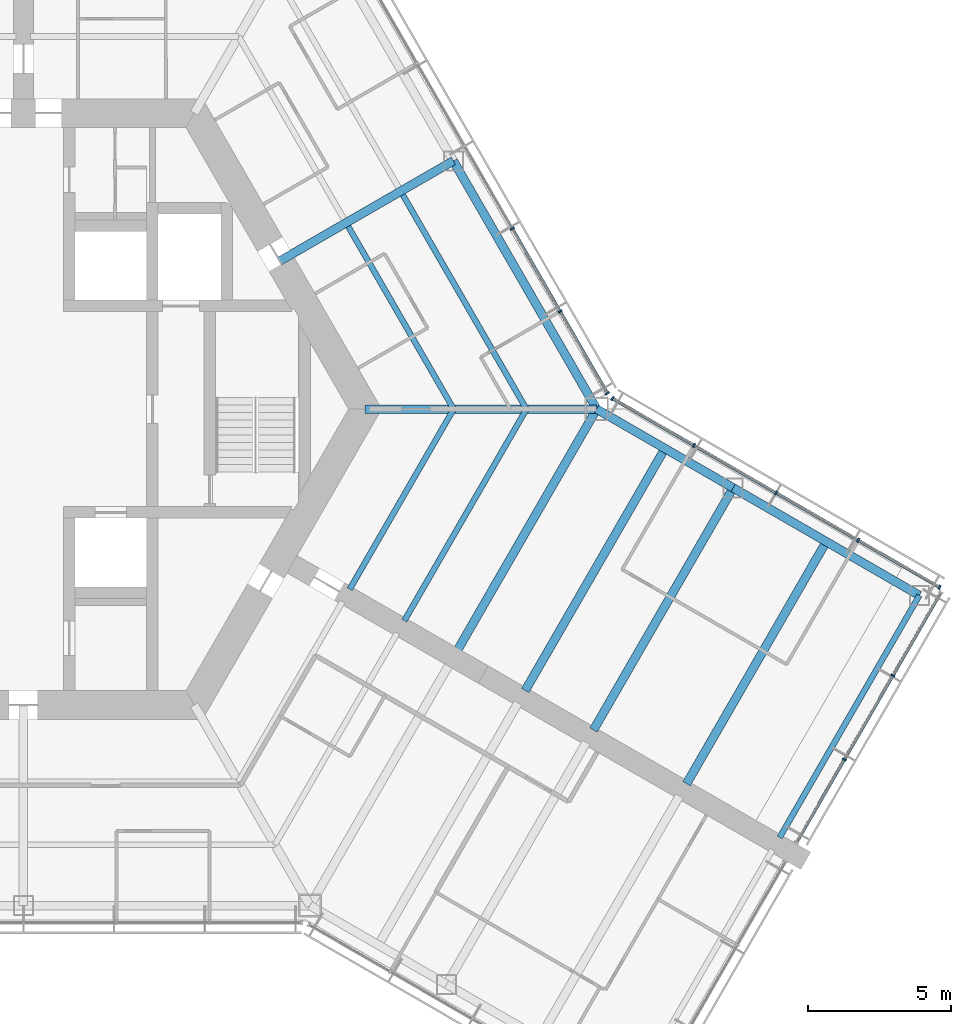
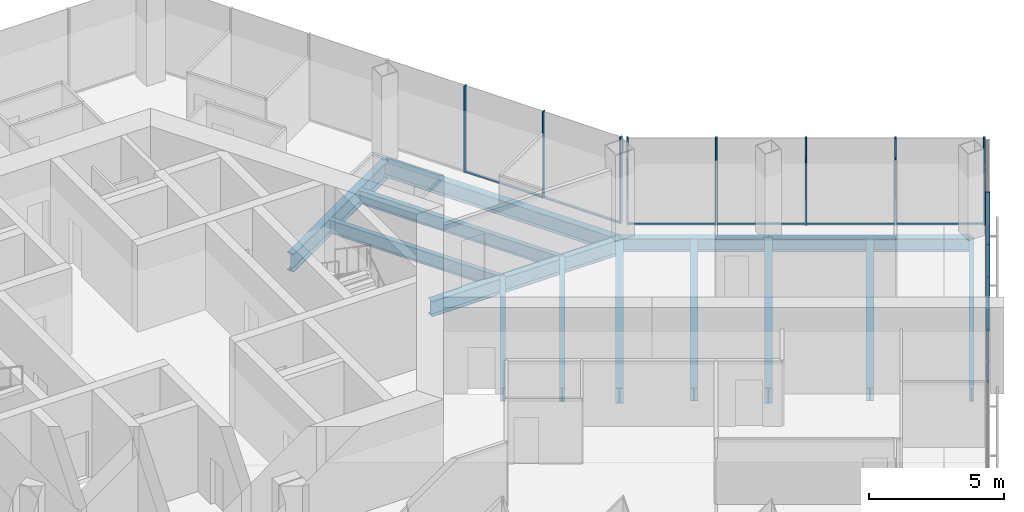
# One storey, part 6 of 19: 19 members, 14 beams, 3 elements without a shape of their own.
"""IFC4 building model written with IfcOpenShell, lengths in metres."""

from ifc_helpers import new_model, si_unit, direction, frame, origin, origin_2d, place, context, subcontext, project, spatial, rectangle, i_section, extrude, material, material_profile, profile_set, type_object, element, aggregate, save


model = new_model("IFC4")

# Units and contexts
model_context = context("Model", 3, precision=1e-05, world=origin(), true_north=direction((0.0, 1.0)))
body_context = subcontext(model_context, "Body", "Model", "MODEL_VIEW")
ifc_project = project(units=[si_unit("LENGTHUNIT", "METRE"), si_unit("AREAUNIT", "SQUARE_METRE"), si_unit("VOLUMEUNIT", "CUBIC_METRE"), si_unit("PLANEANGLEUNIT", "RADIAN"), si_unit("MASSUNIT", "GRAM", prefix="KILO")], contexts=[model_context])

# Site, building, storey
site_placement = place(None, origin())
site = spatial("IfcSite", under=ifc_project, at=site_placement, CompositionType="ELEMENT")
building_placement = place(site_placement, origin())
building = spatial("IfcBuilding", under=site, at=building_placement, Name="Kasaneha Research Tower", CompositionType="ELEMENT")
storey_placement = place(building_placement, frame((0.0, 0.0, 164.300048828125)))
storey = spatial("IfcBuildingStorey", under=building, at=storey_placement, Name="L41", CompositionType="ELEMENT", Elevation=164.300048828125)

# Beams
ifc_material_1 = material(Name="Steel SN490B", Category="steel")
ifc_material_profile_1 = material_profile(ifc_material_1, i_section(OverallWidth=0.199951171875, OverallDepth=0.60009765625, WebThickness=0.010986328125, FlangeThickness=0.01708984375, FilletRadius=0.012939453125, at=origin_2d()), Name="H-600x200x11x17")
ifc_profile_set_1 = profile_set([ifc_material_profile_1], Name="Steel SN490B")
beam_type_1 = type_object("IfcBeamType", Name="B1-3 secondary beam H-600x200x11x17", PredefinedType="JOIST", material=ifc_profile_set_1)
beam_1_placement = place(storey_placement, frame((15.010986328125, 0.0, -0.449951171875), z_axis=(-0.499994443168, 0.866028611999, 0.0), x_axis=(-0.866028611999, -0.499994443168, 0.0)))
element("IfcBeam", 1, at=beam_1_placement, inside=storey, type_object=beam_type_1, Name="Secondary beam RS030L1 L41", PredefinedType="JOIST", context=body_context, shape_type="SweptSolid", body=[
    extrude(i_section(OverallWidth=0.199951171875, OverallDepth=0.60009765625, WebThickness=0.010986328125, FlangeThickness=0.01708984375, FilletRadius=0.012939453125, at=origin_2d()), origin(), (0.0, 0.0, 1.0), 7.35546875),
])
beam_2_placement = place(storey_placement, frame((17.551513671875, 0.0, -0.449951171875), z_axis=(-0.5000050195, 0.866022505755, 0.0), x_axis=(-0.866022505755, -0.5000050195, 0.0)))
element("IfcBeam", 2, at=beam_2_placement, inside=storey, type_object=beam_type_1, Name="Secondary beam RS030L2 L41", PredefinedType="JOIST", context=body_context, shape_type="SweptSolid", body=[
    extrude(i_section(OverallWidth=0.199951171875, OverallDepth=0.60009765625, WebThickness=0.010986328125, FlangeThickness=0.01708984375, FilletRadius=0.012939453125, at=origin_2d()), origin(), (0.0, 0.0, 1.0), 8.6259765625),
])
beam_3_placement = place(storey_placement, frame((15.010986328125, 0.0, -0.449951171875), z_axis=(-0.499993340521, -0.866029248602, 0.0), x_axis=(0.866029248602, -0.499993340521, 0.0)))
element("IfcBeam", 3, at=beam_3_placement, inside=storey, type_object=beam_type_1, Name="Secondary beam RS330R1 L41", PredefinedType="JOIST", context=body_context, shape_type="SweptSolid", body=[
    extrude(i_section(OverallWidth=0.199951171875, OverallDepth=0.60009765625, WebThickness=0.010986328125, FlangeThickness=0.01708984375, FilletRadius=0.012939453125, at=origin_2d()), origin(), (0.0, 0.0, 1.0), 7.25537109375),
])
beam_4_placement = place(storey_placement, frame((17.551513671875, 0.0, -0.449951171875), z_axis=(-0.500004205306, -0.866022975836, 0.0), x_axis=(0.866022975836, -0.500004205306, 0.0)))
element("IfcBeam", 4, at=beam_4_placement, inside=storey, type_object=beam_type_1, Name="Secondary beam RS330R2 L41", PredefinedType="JOIST", context=body_context, shape_type="SweptSolid", body=[
    extrude(i_section(OverallWidth=0.199951171875, OverallDepth=0.60009765625, WebThickness=0.010986328125, FlangeThickness=0.01708984375, FilletRadius=0.012939453125, at=origin_2d()), origin(), (0.0, 0.0, 1.0), 8.52587890625),
])
ifc_material_2 = material(Name="Steel SN490B", Category="steel")
ifc_material_profile_2 = material_profile(ifc_material_2, i_section(OverallWidth=0.300048828125, OverallDepth=0.58203125, WebThickness=0.011962890625, FlangeThickness=0.01708984375, FilletRadius=0.012939453125, at=origin_2d()), Name="H-582x300x12x17")
ifc_profile_set_2 = profile_set([ifc_material_profile_2], Name="Steel SN490B")
beam_type_2 = type_object("IfcBeamType", Name="B2-3 secondary beam H-582x300x12x17", PredefinedType="JOIST", material=ifc_profile_set_2)
for number, where, z_axis, x_axis, name in (
    (5, (22.381591796875, -1.375, -0.441162109375), (-0.499995560238, -0.866027967067, 0.0), (0.866027967067, -0.499995560238, 0.0), "Secondary beam WBCN1 L41"),
    (6, (28.0107421875, -4.625, -0.441162109375), (-0.499995560238, -0.866027967067, 0.0), (0.866027967067, -0.499995560238, 0.0), "Secondary beam WBCN2 L41"),
):
    element("IfcBeam", number, at=place(storey_placement, frame(where, z_axis=z_axis, x_axis=x_axis)), inside=storey, type_object=beam_type_2, Name=name, PredefinedType="JOIST", context=body_context, shape_type="SweptSolid", body=[
        extrude(i_section(OverallWidth=0.300048828125, OverallDepth=0.58203125, WebThickness=0.011962890625, FlangeThickness=0.01708984375, FilletRadius=0.012939453125, at=origin_2d()), origin(), (0.0, 0.0, 1.0), 9.75),
    ])

# Curtain wall, members
ifc_material_3 = material(Name="Glass and aluminium", Category="aluminium")
curtain_wall_type = type_object("IfcCurtainWallType", Name="Mid-rise office curtain wall", PredefinedType="USERDEFINED", material=ifc_material_3)
curtain_wall_1_placement = place(storey_placement, origin())
curtain_wall_1 = element("IfcCurtainWall", 7, at=curtain_wall_1_placement, inside=storey, type_object=curtain_wall_type, Name="CW-O2 L41 run 04a", ObjectType="UNITISED CURTAIN WALL", PredefinedType="USERDEFINED")
ifc_material_4 = material(Name="Aluminium 6063-T6", Category="aluminium")
ifc_material_profile_3 = material_profile(ifc_material_4, rectangle(XDim=0.06005859375, YDim=0.14990234375, at=origin_2d()), Name="CW-O2 mullion 60x150")
ifc_profile_set_3 = profile_set([ifc_material_profile_3], Name="Aluminium 6063-T6")
member_type_1 = type_object("IfcMemberType", Name="CW-O2 mullion", PredefinedType="MULLION", material=ifc_profile_set_3)
member_1_placement = place(storey_placement, frame((28.64453125, -12.22705078125, 0.0), z_axis=(0.0, 0.0, 1.0), x_axis=(0.500000011442, 0.866025397178, 0.0)))
member_1 = element("IfcMember", 8, at=member_1_placement, type_object=member_type_1, Name="CW-O2 mullion 2", PredefinedType="MULLION", context=body_context, shape_type="SweptSolid", body=[
    extrude(rectangle(XDim=0.06005859375, YDim=0.14990234375, at=origin_2d()), origin(), (0.0, 0.0, 1.0), 3.89990234375),
])
member_2_placement = place(storey_placement, frame((30.336181640625, -9.297119140625, 0.0), z_axis=(0.0, 0.0, 1.0), x_axis=(0.500000011442, 0.866025397178, 0.0)))
member_2 = element("IfcMember", 9, at=member_2_placement, type_object=member_type_1, Name="CW-O2 mullion 3", PredefinedType="MULLION", context=body_context, shape_type="SweptSolid", body=[
    extrude(rectangle(XDim=0.06005859375, YDim=0.14990234375, at=origin_2d()), origin(), (0.0, 0.0, 1.0), 3.89990234375),
])

curtain_wall_2_placement = place(storey_placement, origin())
curtain_wall_2 = element("IfcCurtainWall", 10, at=curtain_wall_2_placement, inside=storey, type_object=curtain_wall_type, Name="CW-O2 L41 run 05a", ObjectType="UNITISED CURTAIN WALL", PredefinedType="USERDEFINED")
member_3_placement = place(storey_placement, frame((31.96533203125, -6.21533203125, 0.0), z_axis=(0.0, 0.0, 1.0), x_axis=(-0.866025411464, 0.499999986699, 0.0)))
member_3 = element("IfcMember", 11, at=member_3_placement, type_object=member_type_1, Name="CW-O2 mullion 1", PredefinedType="MULLION", context=body_context, shape_type="SweptSolid", body=[
    extrude(rectangle(XDim=0.06005859375, YDim=0.14990234375, at=origin_2d()), origin(), (0.0, 0.0, 1.0), 3.89990234375),
])
member_4_placement = place(storey_placement, frame((29.125, -4.575439453125, 0.0), z_axis=(0.0, 0.0, 1.0), x_axis=(-0.866025411464, 0.499999986699, 0.0)))
member_4 = element("IfcMember", 12, at=member_4_placement, type_object=member_type_1, Name="CW-O2 mullion 2", PredefinedType="MULLION", context=body_context, shape_type="SweptSolid", body=[
    extrude(rectangle(XDim=0.06005859375, YDim=0.14990234375, at=origin_2d()), origin(), (0.0, 0.0, 1.0), 3.89990234375),
])
member_5_placement = place(storey_placement, frame((26.258544921875, -2.920654296875, 0.0), z_axis=(0.0, 0.0, 1.0), x_axis=(-0.866025411464, 0.499999986699, 0.0)))
member_5 = element("IfcMember", 13, at=member_5_placement, type_object=member_type_1, Name="CW-O2 mullion 3", PredefinedType="MULLION", context=body_context, shape_type="SweptSolid", body=[
    extrude(rectangle(XDim=0.06005859375, YDim=0.14990234375, at=origin_2d()), origin(), (0.0, 0.0, 1.0), 3.89990234375),
])
member_6_placement = place(storey_placement, frame((23.39208984375, -1.265625, 0.0), z_axis=(0.0, 0.0, 1.0), x_axis=(-0.866025411464, 0.499999986699, 0.0)))
member_6 = element("IfcMember", 14, at=member_6_placement, type_object=member_type_1, Name="CW-O2 mullion 4", PredefinedType="MULLION", context=body_context, shape_type="SweptSolid", body=[
    extrude(rectangle(XDim=0.06005859375, YDim=0.14990234375, at=origin_2d()), origin(), (0.0, 0.0, 1.0), 3.89990234375),
])
member_7_placement = place(storey_placement, frame((20.5517578125, 0.374267578125, 0.0), z_axis=(0.0, 0.0, 1.0), x_axis=(-0.866025411464, 0.499999986699, 0.0)))
member_7 = element("IfcMember", 15, at=member_7_placement, type_object=member_type_1, Name="CW-O2 mullion 5", PredefinedType="MULLION", context=body_context, shape_type="SweptSolid", body=[
    extrude(rectangle(XDim=0.06005859375, YDim=0.14990234375, at=origin_2d()), origin(), (0.0, 0.0, 1.0), 3.89990234375),
])

curtain_wall_3_placement = place(storey_placement, origin())
curtain_wall_3 = element("IfcCurtainWall", 16, at=curtain_wall_3_placement, inside=storey, type_object=curtain_wall_type, Name="CW-O2 L41 run 06a", ObjectType="UNITISED CURTAIN WALL", PredefinedType="USERDEFINED")
member_8_placement = place(storey_placement, frame((20.374267578125, 0.5517578125, 0.0), z_axis=(0.0, 0.0, 1.0), x_axis=(-0.499999979232, 0.866025415775, 0.0)))
member_8 = element("IfcMember", 17, at=member_8_placement, type_object=member_type_1, Name="CW-O2 mullion 1", PredefinedType="MULLION", context=body_context, shape_type="SweptSolid", body=[
    extrude(rectangle(XDim=0.06005859375, YDim=0.14990234375, at=origin_2d()), origin(), (0.0, 0.0, 1.0), 3.89990234375),
])
member_9_placement = place(storey_placement, frame((18.723876953125, 3.410400390625, 0.0), z_axis=(0.0, 0.0, 1.0), x_axis=(-0.499999979232, 0.866025415775, 0.0)))
member_9 = element("IfcMember", 18, at=member_9_placement, type_object=member_type_1, Name="CW-O2 mullion 2", PredefinedType="MULLION", context=body_context, shape_type="SweptSolid", body=[
    extrude(rectangle(XDim=0.06005859375, YDim=0.14990234375, at=origin_2d()), origin(), (0.0, 0.0, 1.0), 3.89990234375),
])
member_10_placement = place(storey_placement, frame((17.058349609375, 6.295166015625, 0.0), z_axis=(0.0, 0.0, 1.0), x_axis=(-0.499999979232, 0.866025415775, 0.0)))
member_10 = element("IfcMember", 19, at=member_10_placement, type_object=member_type_1, Name="CW-O2 mullion 3", PredefinedType="MULLION", context=body_context, shape_type="SweptSolid", body=[
    extrude(rectangle(XDim=0.06005859375, YDim=0.14990234375, at=origin_2d()), origin(), (0.0, 0.0, 1.0), 3.89990234375),
])

# Member
ifc_material_5 = material(Name="Aluminium 6063-T6", Category="aluminium")
ifc_material_profile_4 = material_profile(ifc_material_5, rectangle(XDim=0.110107421875, YDim=0.06005859375, at=origin_2d()), Name="CW-O2 transom 110x60")
ifc_profile_set_4 = profile_set([ifc_material_profile_4], Name="Aluminium 6063-T6")
member_type_2 = type_object("IfcMemberType", Name="CW-O2 transom", PredefinedType="USERDEFINED", material=ifc_profile_set_4)
member_11_placement = place(storey_placement, frame((26.98291015625, -15.105224609375, 0.030029296875), z_axis=(0.500021914551, 0.866012751043, 0.0), x_axis=(-0.866012751043, 0.500021914551, 0.0)))
member_11 = element("IfcMember", 20, at=member_11_placement, type_object=member_type_2, Name="CW-O2 transom 1", ObjectType="TRANSOM", PredefinedType="USERDEFINED", context=body_context, shape_type="SweptSolid", body=[
    extrude(rectangle(XDim=0.110107421875, YDim=0.06005859375, at=origin_2d()), origin(), (0.0, 0.0, 1.0), 3.293212890625),
])

member_12_placement = place(storey_placement, frame((28.65966796875, -12.201171875, 0.030029296875), z_axis=(0.499978935311, 0.866037565146, 0.0), x_axis=(-0.866037565146, 0.499978935311, 0.0)))
member_12 = element("IfcMember", 21, at=member_12_placement, type_object=member_type_2, Name="CW-O2 transom 2", ObjectType="TRANSOM", PredefinedType="USERDEFINED", context=body_context, shape_type="SweptSolid", body=[
    extrude(rectangle(XDim=0.110107421875, YDim=0.06005859375, at=origin_2d()), origin(), (0.0, 0.0, 1.0), 3.323486328125),
])

member_13_placement = place(storey_placement, frame((30.351318359375, -9.27099609375, 0.030029296875), z_axis=(0.500021914551, 0.866012751043, 0.0), x_axis=(-0.866012751043, 0.500021914551, 0.0)))
member_13 = element("IfcMember", 22, at=member_13_placement, type_object=member_type_2, Name="CW-O2 transom 3", ObjectType="TRANSOM", PredefinedType="USERDEFINED", context=body_context, shape_type="SweptSolid", body=[
    extrude(rectangle(XDim=0.110107421875, YDim=0.06005859375, at=origin_2d()), origin(), (0.0, 0.0, 1.0), 3.293212890625),
])

aggregate(curtain_wall_1, [member_1, member_2, member_11, member_12, member_13])

member_14_placement = place(storey_placement, frame((31.939453125, -6.200439453125, 0.030029296875), z_axis=(-0.866041647767, 0.499971863542, 0.0), x_axis=(-0.499971863542, -0.866041647767, 0.0)))
member_14 = element("IfcMember", 23, at=member_14_placement, type_object=member_type_2, Name="CW-O2 transom 1", ObjectType="TRANSOM", PredefinedType="USERDEFINED", context=body_context, shape_type="SweptSolid", body=[
    extrude(rectangle(XDim=0.110107421875, YDim=0.06005859375, at=origin_2d()), origin(), (0.0, 0.0, 1.0), 3.219970703125),
])

member_15_placement = place(storey_placement, frame((29.098876953125, -4.560546875, 0.030029296875), z_axis=(-0.86599666273, 0.500049777664, 0.0), x_axis=(-0.500049777664, -0.86599666273, 0.0)))
member_15 = element("IfcMember", 24, at=member_15_placement, type_object=member_type_2, Name="CW-O2 transom 2", ObjectType="TRANSOM", PredefinedType="USERDEFINED", context=body_context, shape_type="SweptSolid", body=[
    extrude(rectangle(XDim=0.110107421875, YDim=0.06005859375, at=origin_2d()), origin(), (0.0, 0.0, 1.0), 3.249755859375),
])

member_16_placement = place(storey_placement, frame((26.232666015625, -2.905517578125, 0.030029296875), z_axis=(-0.86604797581, 0.499960902066, 0.0), x_axis=(-0.499960902066, -0.86604797581, 0.0)))
member_16 = element("IfcMember", 25, at=member_16_placement, type_object=member_type_2, Name="CW-O2 transom 3", ObjectType="TRANSOM", PredefinedType="USERDEFINED", context=body_context, shape_type="SweptSolid", body=[
    extrude(rectangle(XDim=0.110107421875, YDim=0.06005859375, at=origin_2d()), origin(), (0.0, 0.0, 1.0), 3.249755859375),
])

member_17_placement = place(storey_placement, frame((23.3662109375, -1.250732421875, 0.030029296875), z_axis=(-0.866022692473, 0.500004696101, 0.0), x_axis=(-0.500004696101, -0.866022692473, 0.0)))
member_17 = element("IfcMember", 26, at=member_17_placement, type_object=member_type_2, Name="CW-O2 transom 4", ObjectType="TRANSOM", PredefinedType="USERDEFINED", context=body_context, shape_type="SweptSolid", body=[
    extrude(rectangle(XDim=0.110107421875, YDim=0.06005859375, at=origin_2d()), origin(), (0.0, 0.0, 1.0), 3.2197265625),
])

aggregate(curtain_wall_2, [member_3, member_4, member_5, member_6, member_7, member_14, member_15, member_16, member_17])

member_18_placement = place(storey_placement, frame((20.359130859375, 0.577880859375, 0.030029296875), z_axis=(-0.499987643696, 0.866032537582, 0.0), x_axis=(-0.866032537582, -0.499987643696, 0.0)))
member_18 = element("IfcMember", 27, at=member_18_placement, type_object=member_type_2, Name="CW-O2 transom 1", ObjectType="TRANSOM", PredefinedType="USERDEFINED", context=body_context, shape_type="SweptSolid", body=[
    extrude(rectangle(XDim=0.110107421875, YDim=0.06005859375, at=origin_2d()), origin(), (0.0, 0.0, 1.0), 3.24072265625),
])

member_19_placement = place(storey_placement, frame((18.708740234375, 3.4365234375, 0.030029296875), z_axis=(-0.500000270186, 0.866025247793, 0.0), x_axis=(-0.866025247793, -0.500000270186, 0.0)))
member_19 = element("IfcMember", 28, at=member_19_placement, type_object=member_type_2, Name="CW-O2 transom 2", ObjectType="TRANSOM", PredefinedType="USERDEFINED", context=body_context, shape_type="SweptSolid", body=[
    extrude(rectangle(XDim=0.110107421875, YDim=0.06005859375, at=origin_2d()), origin(), (0.0, 0.0, 1.0), 3.27099609375),
])

aggregate(curtain_wall_3, [member_8, member_9, member_10, member_18, member_19])

# Beams
ifc_material_6 = material(Name="Steel SN490B", Category="steel")
ifc_material_profile_5 = material_profile(ifc_material_6, i_section(OverallWidth=0.300048828125, OverallDepth=0.699951171875, WebThickness=0.012939453125, FlangeThickness=0.02392578125, FilletRadius=0.01806640625, at=origin_2d()), Name="H-700x300x13x24")
ifc_profile_set_5 = profile_set([ifc_material_profile_5], Name="Steel SN490B")
beam_type_3 = type_object("IfcBeamType", Name="G1-3 radial girder H-700x300x13x24", PredefinedType="BEAM", material=ifc_profile_set_5)
beam_5_placement = place(storey_placement, frame((11.92236328125, 0.0, -0.5), z_axis=(1.0, 0.0, 0.0), x_axis=(0.0, 1.0, 0.0)))
element("IfcBeam", 29, at=beam_5_placement, inside=storey, type_object=beam_type_3, Name="Radial girder RV000 L41", PredefinedType="BEAM", context=body_context, shape_type="SweptSolid", body=[
    extrude(i_section(OverallWidth=0.300048828125, OverallDepth=0.699951171875, WebThickness=0.012939453125, FlangeThickness=0.02392578125, FilletRadius=0.01806640625, at=origin_2d()), origin(), (0.0, 0.0, 1.0), 8.07763671875),
])
ifc_material_7 = material(Name="Steel SN490B", Category="steel")
ifc_material_profile_6 = material_profile(ifc_material_7, i_section(OverallWidth=0.300048828125, OverallDepth=0.800048828125, WebThickness=0.013916015625, FlangeThickness=0.02587890625, FilletRadius=0.01806640625, at=origin_2d()), Name="H-800x300x14x26")
ifc_profile_set_6 = profile_set([ifc_material_profile_6], Name="Steel SN490B")
beam_type_4 = type_object("IfcBeamType", Name="G2-3 radial girder H-800x300x14x26", PredefinedType="BEAM", material=ifc_profile_set_6)
beam_6_placement = place(storey_placement, frame((8.941650390625, 5.16259765625, -0.550048828125), z_axis=(0.866039713508, 0.499975214012, 0.0), x_axis=(-0.499975214012, 0.866039713508, 0.0)))
element("IfcBeam", 30, at=beam_6_placement, inside=storey, type_object=beam_type_4, Name="Radial girder RM030 L41", PredefinedType="BEAM", context=body_context, shape_type="SweptSolid", body=[
    extrude(i_section(OverallWidth=0.300048828125, OverallDepth=0.800048828125, WebThickness=0.013916015625, FlangeThickness=0.02587890625, FilletRadius=0.01806640625, at=origin_2d()), origin(), (0.0, 0.0, 1.0), 6.995361328125),
])
ifc_material_8 = material(Name="Steel SN490B", Category="steel")
ifc_material_profile_7 = material_profile(ifc_material_8, i_section(OverallWidth=0.300048828125, OverallDepth=0.69189453125, WebThickness=0.012939453125, FlangeThickness=0.02001953125, FilletRadius=0.01806640625, at=origin_2d()), Name="H-692x300x13x20")
ifc_profile_set_7 = profile_set([ifc_material_profile_7], Name="Steel SN490B")
beam_type_5 = type_object("IfcBeamType", Name="G3-3 plate edge girder H-692x300x13x20", PredefinedType="BEAM", material=ifc_profile_set_7)
beam_7_placement = place(storey_placement, frame((20.0, 0.0, -0.49609375), z_axis=(-0.499995560238, -0.866027967067, 0.0), x_axis=(0.866027967067, -0.499995560238, 0.0)))
element("IfcBeam", 31, at=beam_7_placement, inside=storey, type_object=beam_type_5, Name="Plate edge girder PECN L41", PredefinedType="BEAM", context=body_context, shape_type="SweptSolid", body=[
    extrude(i_section(OverallWidth=0.300048828125, OverallDepth=0.69189453125, WebThickness=0.012939453125, FlangeThickness=0.02001953125, FilletRadius=0.01806640625, at=origin_2d()), origin(), (0.0, 0.0, 1.0), 9.75),
])
ifc_material_9 = material(Name="Steel SN490B", Category="steel")
ifc_material_profile_8 = material_profile(ifc_material_9, i_section(OverallWidth=0.300048828125, OverallDepth=0.699951171875, WebThickness=0.012939453125, FlangeThickness=0.02392578125, FilletRadius=0.01806640625, at=origin_2d()), Name="H-700x300x13x24")
ifc_profile_set_8 = profile_set([ifc_material_profile_8], Name="Steel SN490B")
beam_type_6 = type_object("IfcBeamType", Name="G4-3 wing girder H-700x300x13x24", PredefinedType="BEAM", material=ifc_profile_set_8)
beam_8_placement = place(storey_placement, frame((24.76318359375, -2.75, -0.5), z_axis=(-0.499995560238, -0.866027967067, 0.0), x_axis=(0.866027967067, -0.499995560238, 0.0)))
element("IfcBeam", 32, at=beam_8_placement, inside=storey, type_object=beam_type_6, Name="Wing girder WGCN L41", PredefinedType="BEAM", context=body_context, shape_type="SweptSolid", body=[
    extrude(i_section(OverallWidth=0.300048828125, OverallDepth=0.699951171875, WebThickness=0.012939453125, FlangeThickness=0.02392578125, FilletRadius=0.01806640625, at=origin_2d()), origin(), (0.0, 0.0, 1.0), 9.75),
])
ifc_material_10 = material(Name="Steel SN490B", Category="steel")
ifc_material_profile_9 = material_profile(ifc_material_10, i_section(OverallWidth=0.300048828125, OverallDepth=0.69189453125, WebThickness=0.012939453125, FlangeThickness=0.02001953125, FilletRadius=0.01806640625, at=origin_2d()), Name="H-692x300x13x20")
ifc_profile_set_9 = profile_set([ifc_material_profile_9], Name="Steel SN490B")
beam_type_7 = type_object("IfcBeamType", Name="SB1-3 spandrel beam H-692x300x13x20", PredefinedType="SPANDREL", material=ifc_profile_set_9)
beam_9_placement = place(storey_placement, frame((20.0, 0.0, -0.49609375), z_axis=(-0.500004234368, 0.866022959057, 0.0), x_axis=(-0.866022959057, -0.500004234368, 0.0)))
element("IfcBeam", 33, at=beam_9_placement, inside=storey, type_object=beam_type_7, Name="Spandrel beam SR030L L41", PredefinedType="SPANDREL", context=body_context, shape_type="SweptSolid", body=[
    extrude(i_section(OverallWidth=0.300048828125, OverallDepth=0.69189453125, WebThickness=0.012939453125, FlangeThickness=0.02001953125, FilletRadius=0.01806640625, at=origin_2d()), origin(), (0.0, 0.0, 1.0), 10.0),
])
ifc_material_11 = material(Name="Steel SN490B", Category="steel")
ifc_material_profile_10 = material_profile(ifc_material_11, i_section(OverallWidth=0.300048828125, OverallDepth=0.58203125, WebThickness=0.011962890625, FlangeThickness=0.01708984375, FilletRadius=0.012939453125, at=origin_2d()), Name="H-582x300x12x17")
ifc_profile_set_10 = profile_set([ifc_material_profile_10], Name="Steel SN490B")
beam_type_8 = type_object("IfcBeamType", Name="SB2-3 spandrel beam H-582x300x12x17", PredefinedType="SPANDREL", material=ifc_profile_set_10)
beam_10_placement = place(storey_placement, frame((20.0, 0.0, -0.441162109375), z_axis=(0.866027397988, -0.499996545922, 0.0), x_axis=(0.499996545922, 0.866027397988, 0.0)))
element("IfcBeam", 34, at=beam_10_placement, inside=storey, type_object=beam_type_8, Name="Spandrel beam WSCN1 L41", PredefinedType="SPANDREL", context=body_context, shape_type="SweptSolid", body=[
    extrude(i_section(OverallWidth=0.300048828125, OverallDepth=0.58203125, WebThickness=0.011962890625, FlangeThickness=0.01708984375, FilletRadius=0.012939453125, at=origin_2d()), origin(), (0.0, 0.0, 1.0), 5.5),
])
beam_11_placement = place(storey_placement, frame((24.76318359375, -2.75, -0.441162109375), z_axis=(0.866022959057, -0.500004234368, 0.0), x_axis=(0.500004234368, 0.866022959057, 0.0)))
element("IfcBeam", 35, at=beam_11_placement, inside=storey, type_object=beam_type_8, Name="Spandrel beam WSCN2 L41", PredefinedType="SPANDREL", context=body_context, shape_type="SweptSolid", body=[
    extrude(i_section(OverallWidth=0.300048828125, OverallDepth=0.58203125, WebThickness=0.011962890625, FlangeThickness=0.01708984375, FilletRadius=0.012939453125, at=origin_2d()), origin(), (0.0, 0.0, 1.0), 7.5),
])
ifc_material_12 = material(Name="Steel SN490B", Category="steel")
ifc_material_profile_11 = material_profile(ifc_material_12, i_section(OverallWidth=0.199951171875, OverallDepth=0.60009765625, WebThickness=0.010986328125, FlangeThickness=0.01708984375, FilletRadius=0.012939453125, at=origin_2d()), Name="H-600x200x11x17")
ifc_profile_set_11 = profile_set([ifc_material_profile_11], Name="Steel SN490B")
beam_type_9 = type_object("IfcBeamType", Name="SB3-3 spandrel beam H-600x200x11x17", PredefinedType="SPANDREL", material=ifc_profile_set_11)
beam_12_placement = place(storey_placement, frame((31.25830078125, -6.5, -0.449951171875), z_axis=(-0.499995560238, -0.866027967067, 0.0), x_axis=(0.866027967067, -0.499995560238, 0.0)))
element("IfcBeam", 36, at=beam_12_placement, inside=storey, type_object=beam_type_9, Name="Spandrel beam WTCN L41", PredefinedType="SPANDREL", context=body_context, shape_type="SweptSolid", body=[
    extrude(i_section(OverallWidth=0.199951171875, OverallDepth=0.60009765625, WebThickness=0.010986328125, FlangeThickness=0.01708984375, FilletRadius=0.012939453125, at=origin_2d()), origin(), (0.0, 0.0, 1.0), 9.75),
])

save(model, "model.ifc")
